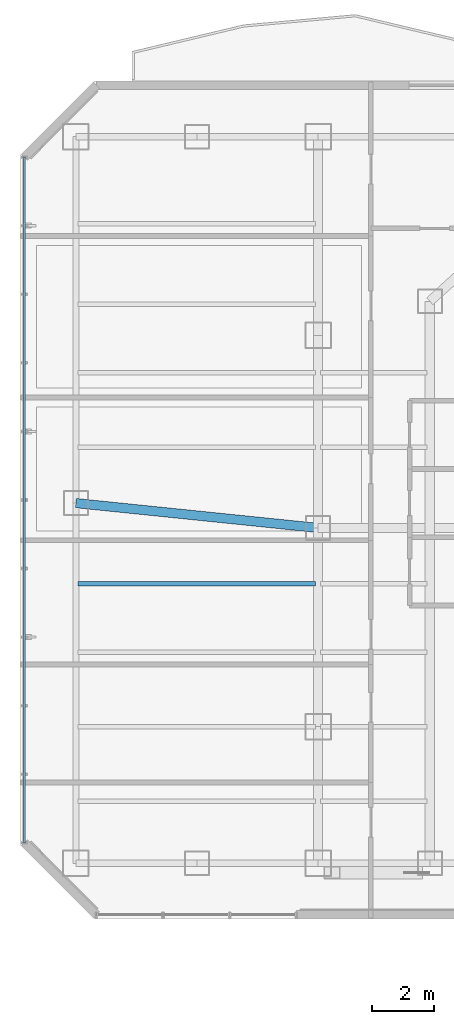
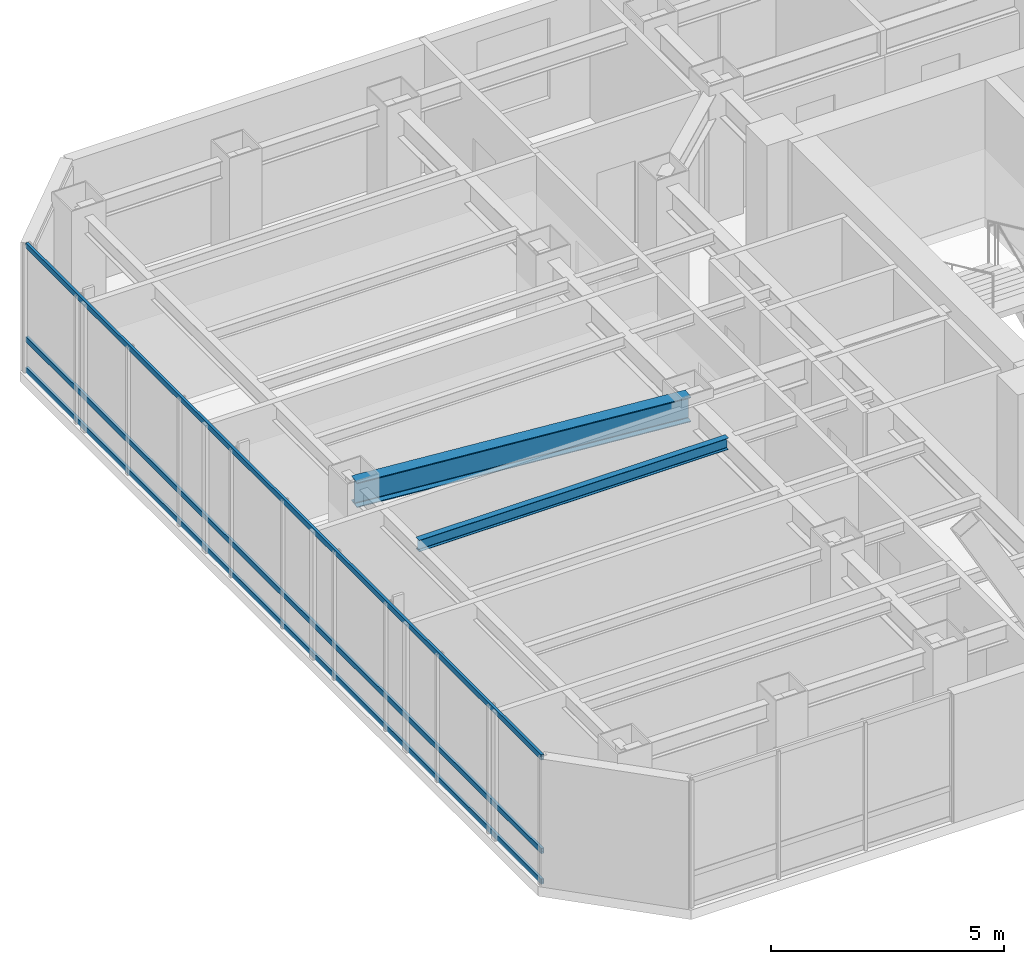
# One storey, part 7 of 29: 3 members, 2 beams, 1 element without a shape of its own.
"""IFC4 building model written with IfcOpenShell, lengths in metres."""

from ifc_helpers import new_model, si_unit, direction, frame, origin, origin_2d, place, context, subcontext, project, spatial, hollow_rectangle, i_section, extrude, material, layer, layer_set, material_profile, profile_set, type_object, element, aggregate, save


model = new_model("IFC4")

# Units and contexts
model_context = context("Model", 3, precision=1e-05, world=origin(), true_north=direction((0.0, 1.0)))
body_context = subcontext(model_context, "Body", "Model", "MODEL_VIEW")
ifc_project = project(units=[si_unit("LENGTHUNIT", "METRE"), si_unit("AREAUNIT", "SQUARE_METRE"), si_unit("VOLUMEUNIT", "CUBIC_METRE"), si_unit("PLANEANGLEUNIT", "RADIAN"), si_unit("MASSUNIT", "GRAM", prefix="KILO")], contexts=[model_context])

# Site, building, storey
site_placement = place(None, origin())
site = spatial("IfcSite", under=ifc_project, at=site_placement, CompositionType="ELEMENT")
building_placement = place(site_placement, origin())
building = spatial("IfcBuilding", under=site, at=building_placement, Name="Hatsunagi Terrace Concourse", CompositionType="ELEMENT")
storey_placement = place(building_placement, frame((0.0, 0.0, 149.25)))
storey = spatial("IfcBuildingStorey", under=building, at=storey_placement, Name="L39", CompositionType="ELEMENT", Elevation=149.25)

# Curtain wall, members
ifc_material_1 = material(Name="Anodised Aluminium Alloy 6063-T5", Category="aluminium")
ifc_layer = layer(ifc_material_1, 0.199951171875)
ifc_layer_set = layer_set([ifc_layer], Name="OfficeZone1_CW03")
curtain_wall_type = type_object("IfcCurtainWallType", Name="OfficeZone1_CW03", PredefinedType="NOTDEFINED", material=ifc_layer_set)
curtain_wall_placement = place(storey_placement, origin())
curtain_wall = element("IfcCurtainWall", 1, at=curtain_wall_placement, inside=storey, type_object=curtain_wall_type, Name="Unitised Curtain Wall CW-03 CW-L39-09", PredefinedType="NOTDEFINED")
ifc_material_2 = material(Name="Anodised Aluminium Alloy 6063-T5", Category="aluminium")
ifc_material_profile_1 = material_profile(ifc_material_2, hollow_rectangle(XDim=0.06494140625, YDim=0.139892578125, WallThickness=0.00390625, at=origin_2d()), Name="ALU-TRN-140x65x4")
ifc_profile_set_1 = profile_set([ifc_material_profile_1], Name="Anodised Aluminium Alloy 6063-T5")
member_type = type_object("IfcMemberType", Name="CurtainWallTransom_140x65", PredefinedType="USERDEFINED", material=ifc_profile_set_1)
member_1_placement = place(storey_placement, frame((9.739990234375, 25.85791015625, 0.050048828125), z_axis=(0.0, 1.0, 0.0), x_axis=(-1.0, 0.0, 0.0)))
member_1 = element("IfcMember", 2, at=member_1_placement, type_object=member_type, Name="Curtain Wall Transom TRN-02", ObjectType="TRANSOM", PredefinedType="USERDEFINED", context=body_context, shape_type="SweptSolid", body=[
    extrude(hollow_rectangle(XDim=0.06494140625, YDim=0.139892578125, WallThickness=0.00390625, at=origin_2d()), origin(), (0.0, 0.0, 1.0), 22.083984375),
])
member_2_placement = place(storey_placement, frame((9.739990234375, 25.85791015625, 0.85009765625), z_axis=(0.0, 1.0, 0.0), x_axis=(-1.0, 0.0, 0.0)))
member_2 = element("IfcMember", 3, at=member_2_placement, type_object=member_type, Name="Curtain Wall Transom TRN-02", ObjectType="TRANSOM", PredefinedType="USERDEFINED", context=body_context, shape_type="SweptSolid", body=[
    extrude(hollow_rectangle(XDim=0.06494140625, YDim=0.139892578125, WallThickness=0.00390625, at=origin_2d()), origin(), (0.0, 0.0, 1.0), 22.083984375),
])
member_3_placement = place(storey_placement, frame((9.739990234375, 25.85791015625, 3.300048828125), z_axis=(0.0, 1.0, 0.0), x_axis=(-1.0, 0.0, 0.0)))
member_3 = element("IfcMember", 4, at=member_3_placement, type_object=member_type, Name="Curtain Wall Transom TRN-02", ObjectType="TRANSOM", PredefinedType="USERDEFINED", context=body_context, shape_type="SweptSolid", body=[
    extrude(hollow_rectangle(XDim=0.06494140625, YDim=0.139892578125, WallThickness=0.00390625, at=origin_2d()), origin(), (0.0, 0.0, 1.0), 22.083984375),
])
aggregate(curtain_wall, [member_1, member_2, member_3])

# Beams
ifc_material_3 = material(Name="Steel SN490B", Category="steel")
ifc_material_profile_2 = material_profile(ifc_material_3, i_section(OverallWidth=0.14990234375, OverallDepth=0.300048828125, WebThickness=0.006591796875, FlangeThickness=0.009033203125, FilletRadius=0.010986328125, at=origin_2d()), Name="H-300x150x6.5x9")
ifc_profile_set_2 = profile_set([ifc_material_profile_2], Name="Steel SN490B")
beam_type_1 = type_object("IfcBeamType", Name="OfficeJoist_H_300x150", PredefinedType="JOIST", material=ifc_profile_set_2)
beam_1_placement = place(storey_placement, frame((11.465087890625, 34.199951171875, 3.199951171875), z_axis=(1.0, 0.0, 0.0), x_axis=(0.0, 1.0, 0.0)))
element("IfcBeam", 5, at=beam_1_placement, inside=storey, type_object=beam_type_1, Name="Beam J-03 J-L39-W-11-342", PredefinedType="JOIST", context=body_context, shape_type="SweptSolid", body=[
    extrude(i_section(OverallWidth=0.14990234375, OverallDepth=0.300048828125, WebThickness=0.006591796875, FlangeThickness=0.009033203125, FilletRadius=0.010986328125, at=origin_2d()), origin(), (0.0, 0.0, 1.0), 7.64990234375),
])
ifc_material_4 = material(Name="Steel SN490B", Category="steel")
ifc_material_profile_3 = material_profile(ifc_material_4, i_section(OverallWidth=0.300048828125, OverallDepth=0.64990234375, WebThickness=0.012939453125, FlangeThickness=0.02197265625, FilletRadius=0.01806640625, at=origin_2d()), Name="H-650x300x13x22")
ifc_profile_set_3 = profile_set([ifc_material_profile_3], Name="Steel SN490B")
beam_type_2 = type_object("IfcBeamType", Name="OfficeLowGirder_H_650x300", PredefinedType="BEAM", material=ifc_profile_set_3)
beam_2_placement = place(storey_placement, frame((11.39990234375, 36.800048828125, 3.02490234375), z_axis=(0.994780871372, -0.102034395927, 0.0), x_axis=(0.102034395927, 0.994780871372, 0.0)))
element("IfcBeam", 6, at=beam_2_placement, inside=storey, type_object=beam_type_2, Name="Beam G-05 BM-L39-EW-2", PredefinedType="BEAM", context=body_context, shape_type="SweptSolid", body=[
    extrude(i_section(OverallWidth=0.300048828125, OverallDepth=0.64990234375, WebThickness=0.012939453125, FlangeThickness=0.02197265625, FilletRadius=0.01806640625, at=origin_2d()), origin(), (0.0, 0.0, 1.0), 7.841064453125),
])

save(model, "model.ifc")
